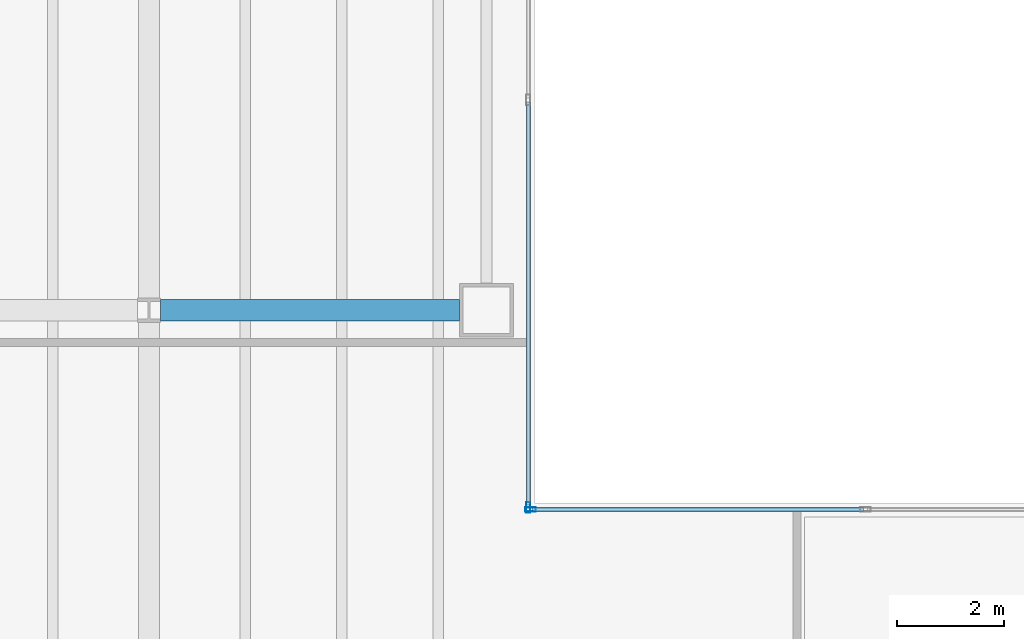
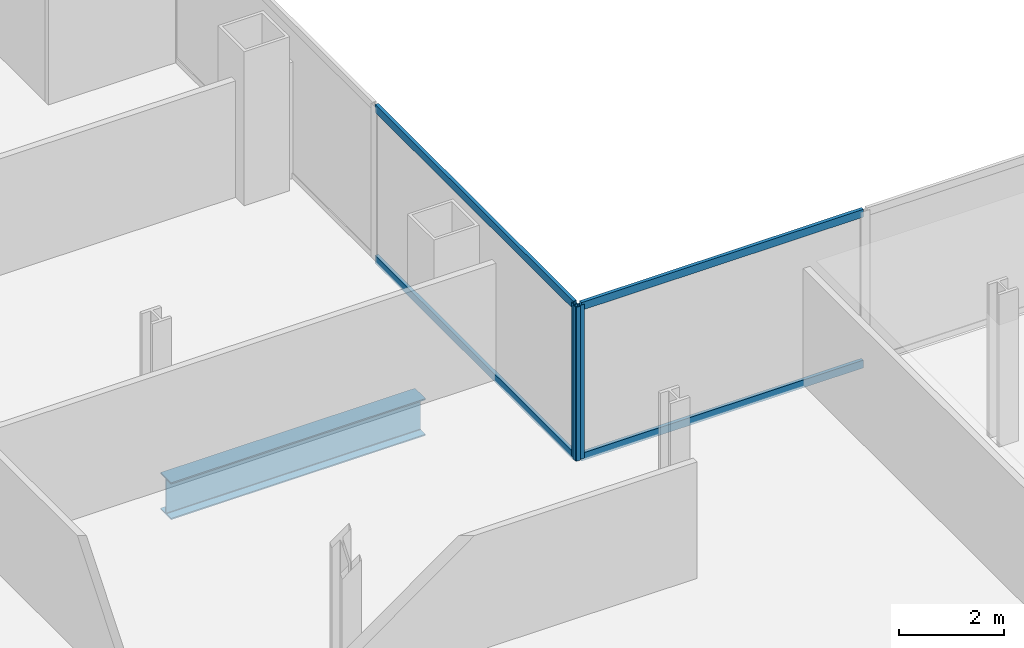
# One storey, part 6 of 25: 6 members, 1 beam, 2 elements without a shape of their own.
"""IFC4 building model written with IfcOpenShell, lengths in metres."""

from ifc_helpers import new_model, si_unit, direction, frame, origin, origin_2d, place, context, subcontext, project, spatial, hollow_rectangle, i_section, extrude, material, material_profile, profile_set, type_object, element, aggregate, save


model = new_model("IFC4")

# Units and contexts
model_context = context("Model", 3, precision=1e-05, world=origin(), true_north=direction((0.0, 1.0)))
body_context = subcontext(model_context, "Body", "Model", "MODEL_VIEW")
ifc_project = project(units=[si_unit("LENGTHUNIT", "METRE"), si_unit("AREAUNIT", "SQUARE_METRE"), si_unit("VOLUMEUNIT", "CUBIC_METRE"), si_unit("PLANEANGLEUNIT", "RADIAN"), si_unit("MASSUNIT", "GRAM", prefix="KILO")], contexts=[model_context])

# Site, building, storey
site_placement = place(None, origin())
site = spatial("IfcSite", under=ifc_project, at=site_placement, CompositionType="ELEMENT")
building_placement = place(site_placement, origin())
building = spatial("IfcBuilding", under=site, at=building_placement, Name="Cobrela Telecom Tower", CompositionType="ELEMENT")
storey_placement = place(building_placement, frame((0.0, 0.0, 61.949951171875)))
storey = spatial("IfcBuildingStorey", under=building, at=storey_placement, Name="L15", CompositionType="ELEMENT", Elevation=61.949951171875)

# Beam
ifc_material_1 = material(Name="Steel ASTM A992 Grade 50", Category="steel")
ifc_material_profile_1 = material_profile(ifc_material_1, i_section(OverallWidth=0.39892578125, OverallDepth=0.85595703125, WebThickness=0.018310546875, FlangeThickness=0.029296875, FilletRadius=0.02001953125, at=origin_2d()), Name="W33X201")
ifc_profile_set_1 = profile_set([ifc_material_profile_1], Name="Steel ASTM A992 Grade 50")
beam_type = type_object("IfcBeamType", Name="BM-GIRD-03", PredefinedType="USERDEFINED", material=ifc_profile_set_1)
beam_placement = place(storey_placement, frame((21.81591796875, 28.800048828125, -0.7080078125), z_axis=(1.0, 0.0, 0.0), x_axis=(0.0, 1.0, 0.0)))
element("IfcBeam", 1, at=beam_placement, inside=storey, type_object=beam_type, Name="L15 Primary Girder X24", ObjectType="GIRDER", PredefinedType="USERDEFINED", context=body_context, shape_type="SweptSolid", body=[
    extrude(i_section(OverallWidth=0.39892578125, OverallDepth=0.85595703125, WebThickness=0.018310546875, FlangeThickness=0.029296875, FilletRadius=0.02001953125, at=origin_2d()), origin(), (0.0, 0.0, 1.0), 5.5791015625),
])

# Curtain wall, member
ifc_material_2 = material(Name="Anodized Bronze Aluminium 6063-T6", Category="aluminium")
curtain_wall_type = type_object("IfcCurtainWallType", Name="CW-SYS-DATA", PredefinedType="USERDEFINED", material=ifc_material_2)
curtain_wall_1_placement = place(storey_placement, origin())
curtain_wall_1 = element("IfcCurtainWall", 2, at=curtain_wall_1_placement, inside=storey, type_object=curtain_wall_type, Name="L15 Unitised Bronze Curtain Wall 10", ObjectType="UNITISED CURTAIN WALL", PredefinedType="USERDEFINED")
ifc_material_profile_2 = material_profile(ifc_material_2, hollow_rectangle(XDim=0.080078125, YDim=0.199951171875, WallThickness=0.00390625, at=origin_2d()), Name="ALU 80x200x4")
ifc_profile_set_2 = profile_set([ifc_material_profile_2], Name="Anodized Bronze Aluminium 6063-T6")
member_type_1 = type_object("IfcMemberType", Name="CW-SYS-DATA-MUL", PredefinedType="MULLION", material=ifc_profile_set_2)
member_1_placement = place(storey_placement, frame((28.679931640625, 25.1201171875, 0.0), z_axis=(0.0, 0.0, 1.0), x_axis=(1.0, 0.0, 0.0)))
member_1 = element("IfcMember", 3, at=member_1_placement, type_object=member_type_1, Name="CW-DATA mullion 3", PredefinedType="MULLION", context=body_context, shape_type="SweptSolid", body=[
    extrude(hollow_rectangle(XDim=0.080078125, YDim=0.199951171875, WallThickness=0.00390625, at=origin_2d()), origin(), (0.0, 0.0, 1.0), 3.570068359375),
])

curtain_wall_2_placement = place(storey_placement, origin())
curtain_wall_2 = element("IfcCurtainWall", 4, at=curtain_wall_2_placement, inside=storey, type_object=curtain_wall_type, Name="L15 Unitised Bronze Curtain Wall 11", ObjectType="UNITISED CURTAIN WALL", PredefinedType="USERDEFINED")
member_2_placement = place(storey_placement, frame((28.719970703125, 25.080078125, 0.0), z_axis=(0.0, 0.0, 1.0), x_axis=(0.0, 1.0, 0.0)))
member_2 = element("IfcMember", 5, at=member_2_placement, type_object=member_type_1, Name="CW-DATA mullion 1", PredefinedType="MULLION", context=body_context, shape_type="SweptSolid", body=[
    extrude(hollow_rectangle(XDim=0.080078125, YDim=0.199951171875, WallThickness=0.00390625, at=origin_2d()), origin(), (0.0, 0.0, 1.0), 3.570068359375),
])

# Member
ifc_material_profile_3 = material_profile(ifc_material_2, hollow_rectangle(XDim=0.074951171875, YDim=0.179931640625, WallThickness=0.00390625, at=origin_2d()), Name="ALU 75x180x4")
ifc_profile_set_3 = profile_set([ifc_material_profile_3], Name="Anodized Bronze Aluminium 6063-T6")
member_type_2 = type_object("IfcMemberType", Name="CW-SYS-DATA-TRN", PredefinedType="USERDEFINED", material=ifc_profile_set_3)
member_3_placement = place(storey_placement, frame((28.679931640625, 32.68505859375, 0.03759765625), z_axis=(0.0, -1.0, 0.0), x_axis=(1.0, 0.0, 0.0)))
member_3 = element("IfcMember", 6, at=member_3_placement, type_object=member_type_2, Name="CW-DATA transom 2.1", ObjectType="TRANSOM", PredefinedType="USERDEFINED", context=body_context, shape_type="SweptSolid", body=[
    extrude(hollow_rectangle(XDim=0.074951171875, YDim=0.179931640625, WallThickness=0.00390625, at=origin_2d()), origin(), (0.0, 0.0, 1.0), 7.525146484375),
])

member_4_placement = place(storey_placement, frame((28.679931640625, 32.68505859375, 3.532470703125), z_axis=(0.0, -1.0, 0.0), x_axis=(1.0, 0.0, 0.0)))
member_4 = element("IfcMember", 7, at=member_4_placement, type_object=member_type_2, Name="CW-DATA transom 2.2", ObjectType="TRANSOM", PredefinedType="USERDEFINED", context=body_context, shape_type="SweptSolid", body=[
    extrude(hollow_rectangle(XDim=0.074951171875, YDim=0.179931640625, WallThickness=0.00390625, at=origin_2d()), origin(), (0.0, 0.0, 1.0), 7.525146484375),
])

aggregate(curtain_wall_1, [member_1, member_3, member_4])

member_5_placement = place(storey_placement, frame((28.760009765625, 25.080078125, 0.03759765625), z_axis=(1.0, 0.0, 0.0), x_axis=(0.0, 1.0, 0.0)))
member_5 = element("IfcMember", 8, at=member_5_placement, type_object=member_type_2, Name="CW-DATA transom 1.1", ObjectType="TRANSOM", PredefinedType="USERDEFINED", context=body_context, shape_type="SweptSolid", body=[
    extrude(hollow_rectangle(XDim=0.074951171875, YDim=0.179931640625, WallThickness=0.00390625, at=origin_2d()), origin(), (0.0, 0.0, 1.0), 6.1767578125),
])

member_6_placement = place(storey_placement, frame((28.760009765625, 25.080078125, 3.532470703125), z_axis=(1.0, 0.0, 0.0), x_axis=(0.0, 1.0, 0.0)))
member_6 = element("IfcMember", 9, at=member_6_placement, type_object=member_type_2, Name="CW-DATA transom 1.2", ObjectType="TRANSOM", PredefinedType="USERDEFINED", context=body_context, shape_type="SweptSolid", body=[
    extrude(hollow_rectangle(XDim=0.074951171875, YDim=0.179931640625, WallThickness=0.00390625, at=origin_2d()), origin(), (0.0, 0.0, 1.0), 6.1767578125),
])

aggregate(curtain_wall_2, [member_2, member_5, member_6])

save(model, "model.ifc")
